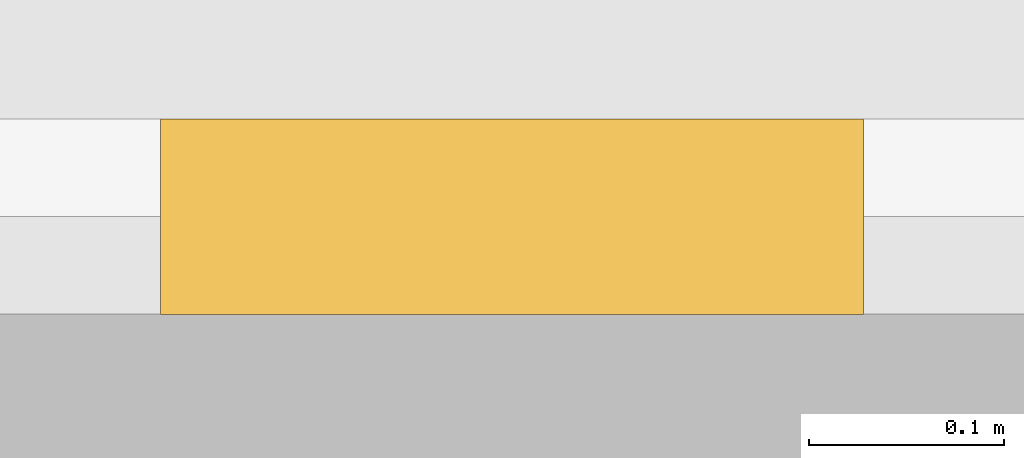
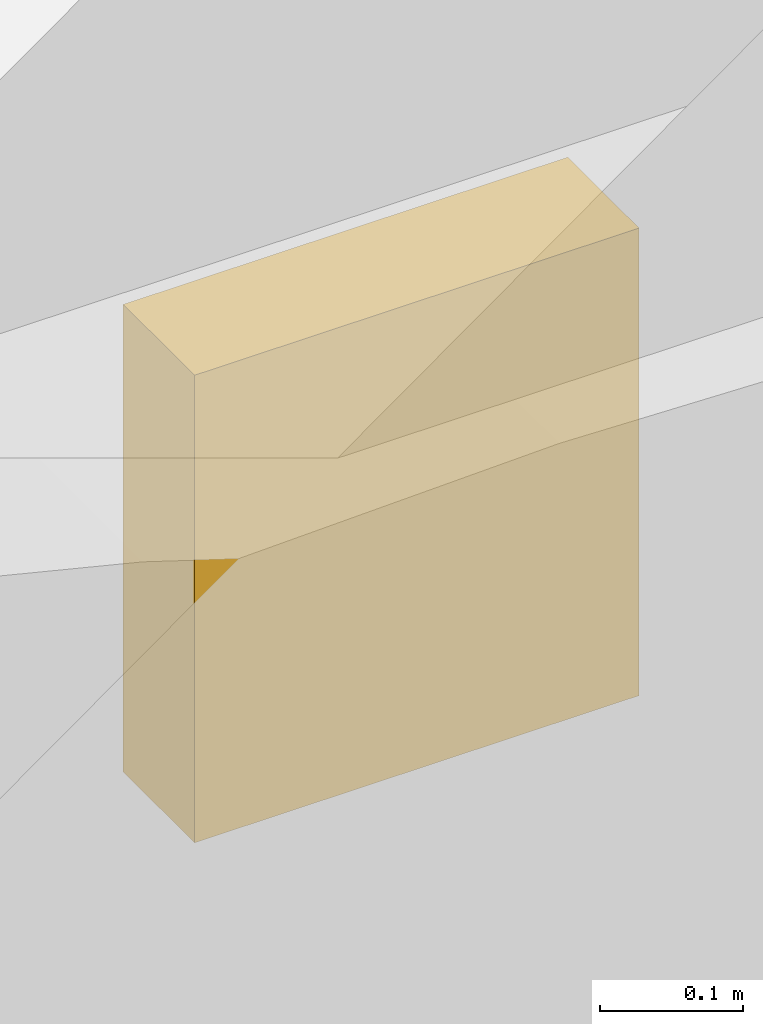
# One storey, part 94 of 99: 1 covering.
"""IFC4 building model written with IfcOpenShell, lengths in metres."""

from ifc_helpers import new_model, si_unit, direction, frame, origin, place, context, subcontext, project, spatial, polyline, outline, extrude, material, layer, layer_set, type_object, element, save


model = new_model("IFC4")

# Units and contexts
model_context = context("Model", 3, precision=1e-05, world=origin(), true_north=direction((0.0, 1.0)))
body_context = subcontext(model_context, "Body", "Model", "MODEL_VIEW")
ifc_project = project(units=[si_unit("LENGTHUNIT", "METRE"), si_unit("AREAUNIT", "SQUARE_METRE"), si_unit("VOLUMEUNIT", "CUBIC_METRE"), si_unit("PLANEANGLEUNIT", "RADIAN"), si_unit("MASSUNIT", "GRAM", prefix="KILO")], contexts=[model_context])

# Site, building, storey
site_placement = place(None, origin())
site = spatial("IfcSite", under=ifc_project, at=site_placement, CompositionType="ELEMENT")
building_placement = place(site_placement, origin())
building = spatial("IfcBuilding", under=site, at=building_placement, Name="Cour d'Honneur Mobility Palace", CompositionType="ELEMENT")
storey_placement = place(building_placement, origin())
storey = spatial("IfcBuildingStorey", under=building, at=storey_placement, Name="L00", CompositionType="ELEMENT", Elevation=0.0)

# Covering
ifc_material = material(Name="Cast limestone", Category="masonry")
ifc_layer = layer(ifc_material, 0.10009765625)
ifc_layer_set = layer_set([ifc_layer], Name="Cast limestone")
covering_type = type_object("IfcCoveringType", Name="Keystone", PredefinedType="CLADDING", material=ifc_layer_set)
covering_placement = place(storey_placement, frame((140.429931640625, 63.14990234375, 2.64990234375), z_axis=(0.0, 1.0, 0.0), x_axis=(-1.0, 0.0, 0.0)))
element("IfcCovering", 1, at=covering_placement, inside=storey, type_object=covering_type, Name="Keystone KS-4", PredefinedType="CLADDING", context=body_context, shape_type="SweptSolid", body=[
    extrude(outline(polyline([(0.0, 0.0), (0.35986328125, 0.0), (0.35986328125, 0.400146484375), (0.0, 0.400146484375), (0.0, 0.0)])), origin(), (0.0, 0.0, -1.0), 0.10009765625),
])

save(model, "model.ifc")
